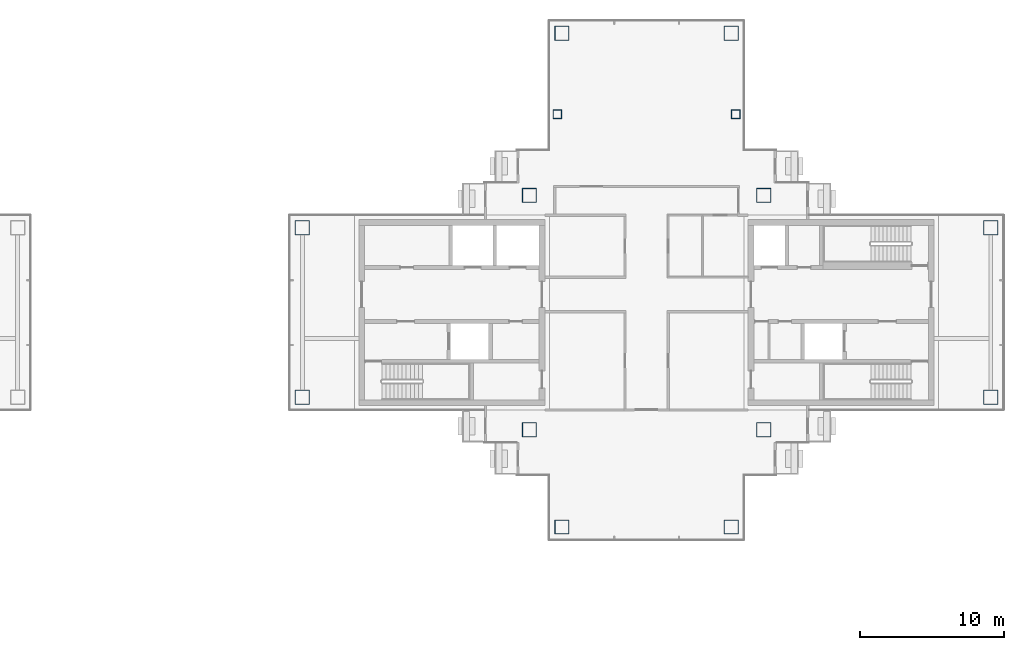
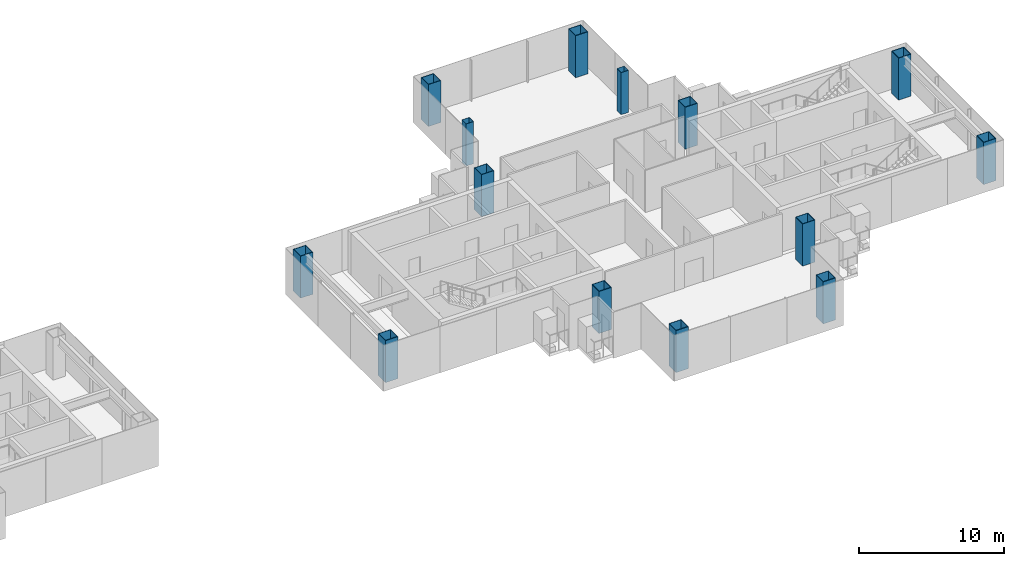
# One storey, part 2 of 16: 14 columns.
"""IFC4 building model written with IfcOpenShell, lengths in metres."""

from ifc_helpers import new_model, si_unit, direction, frame, origin, origin_2d, place, context, subcontext, project, spatial, hollow_rectangle, extrude, material, material_profile, profile_set, type_object, element, save


model = new_model("IFC4")

# Units and contexts
model_context = context("Model", 3, precision=1e-05, world=origin(), true_north=direction((0.0, 1.0)))
body_context = subcontext(model_context, "Body", "Model", "MODEL_VIEW")
ifc_project = project(units=[si_unit("LENGTHUNIT", "METRE"), si_unit("AREAUNIT", "SQUARE_METRE"), si_unit("VOLUMEUNIT", "CUBIC_METRE"), si_unit("PLANEANGLEUNIT", "RADIAN"), si_unit("MASSUNIT", "GRAM", prefix="KILO")], contexts=[model_context])

# Site, building, storey
site_placement = place(None, origin())
site = spatial("IfcSite", under=ifc_project, at=site_placement, CompositionType="ELEMENT")
building_placement = place(site_placement, origin())
building = spatial("IfcBuilding", under=site, at=building_placement, Name="Shamsa Quay Exchange Towers", CompositionType="ELEMENT")
storey_placement = place(building_placement, frame((0.0, 0.0, 210.0)))
storey = spatial("IfcBuildingStorey", under=building, at=storey_placement, Name="L50", CompositionType="ELEMENT", Elevation=210.0)

# Columns
ifc_material_1 = material(Name="Concrete-filled steel tube S355 / C80/95", Category="concrete")
ifc_material_profile_1 = material_profile(ifc_material_1, hollow_rectangle(XDim=1.0, YDim=1.0, WallThickness=0.0400390625, at=origin_2d()), Name="CFT 1000x1000x40")
ifc_profile_set_1 = profile_set([ifc_material_profile_1], Name="Concrete-filled steel tube S355 / C80/95")
column_type_1 = type_object("IfcColumnType", Name="Column CFT 1000x1000x40", PredefinedType="COLUMN", material=ifc_profile_set_1)
for number, where, name in (
    (1, (25.625, 8.125, 0.0), "Mega column T2-CM01"),
    (2, (41.875, 8.125, 0.0), "Mega column T2-CM02"),
    (3, (25.625, -8.125, 0.0), "Mega column T2-CM03"),
    (4, (41.875, -8.125, 0.0), "Mega column T2-CM04"),
    (5, (39.625, 19.375, 0.0), "Mega column T2-CM06"),
    (6, (27.875, 19.375, 0.0), "Mega column T2-CM10"),
    (7, (39.625, -14.875, 0.0), "Mega column T2-CM13"),
    (8, (27.875, -14.875, 0.0), "Mega column T2-CM16"),
    (9, (9.875, -5.875, 0.0), "Mega column T2-CM19"),
    (10, (9.875, 5.875, 0.0), "Mega column T2-CM20"),
    (11, (57.625, -5.875, 0.0), "Mega column T2-CM21"),
    (12, (57.625, 5.875, 0.0), "Mega column T2-CM23"),
):
    element("IfcColumn", number, at=place(storey_placement, frame(where)), inside=storey, type_object=column_type_1, Name=name, PredefinedType="COLUMN", context=body_context, shape_type="SweptSolid", body=[
        extrude(hollow_rectangle(XDim=1.0, YDim=1.0, WallThickness=0.0400390625, at=origin_2d()), origin(), (0.0, 0.0, 1.0), 3.550048828125),
    ])
ifc_material_2 = material(Name="Concrete-filled steel tube S355 / C60/75", Category="concrete")
ifc_material_profile_2 = material_profile(ifc_material_2, hollow_rectangle(XDim=0.60009765625, YDim=0.60009765625, WallThickness=0.02001953125, at=origin_2d()), Name="CFT 600x600x20")
ifc_profile_set_2 = profile_set([ifc_material_profile_2], Name="Concrete-filled steel tube S355 / C60/75")
column_type_2 = type_object("IfcColumnType", Name="Column CFT 600x600x20", PredefinedType="COLUMN", material=ifc_profile_set_2)
for number, where, name in (
    (13, (39.9375, 13.75, 0.0), "Perimeter column T2-CP05"),
    (14, (27.5625, 13.75, 0.0), "Perimeter column T2-CP09"),
):
    element("IfcColumn", number, at=place(storey_placement, frame(where)), inside=storey, type_object=column_type_2, Name=name, PredefinedType="COLUMN", context=body_context, shape_type="SweptSolid", body=[
        extrude(hollow_rectangle(XDim=0.60009765625, YDim=0.60009765625, WallThickness=0.02001953125, at=origin_2d()), origin(), (0.0, 0.0, 1.0), 3.550048828125),
    ])

save(model, "model.ifc")
